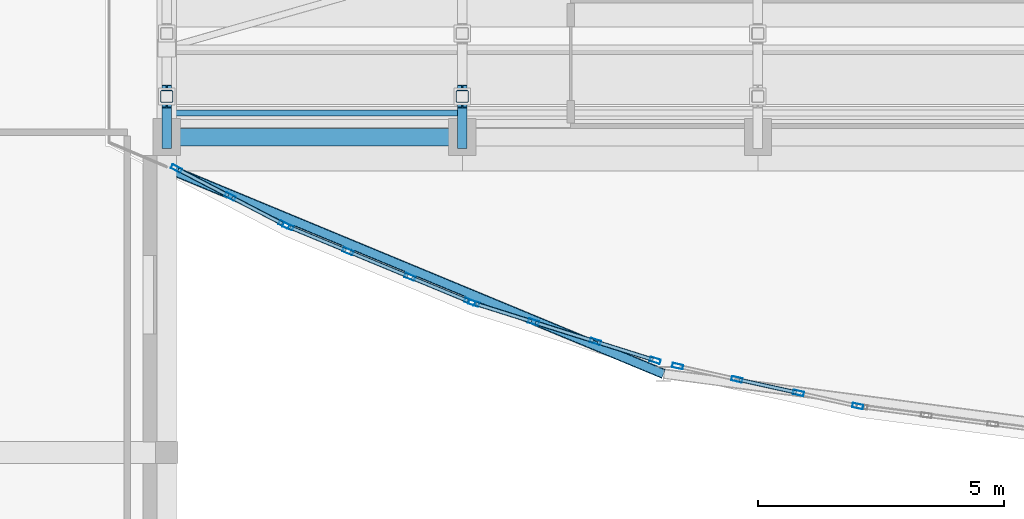
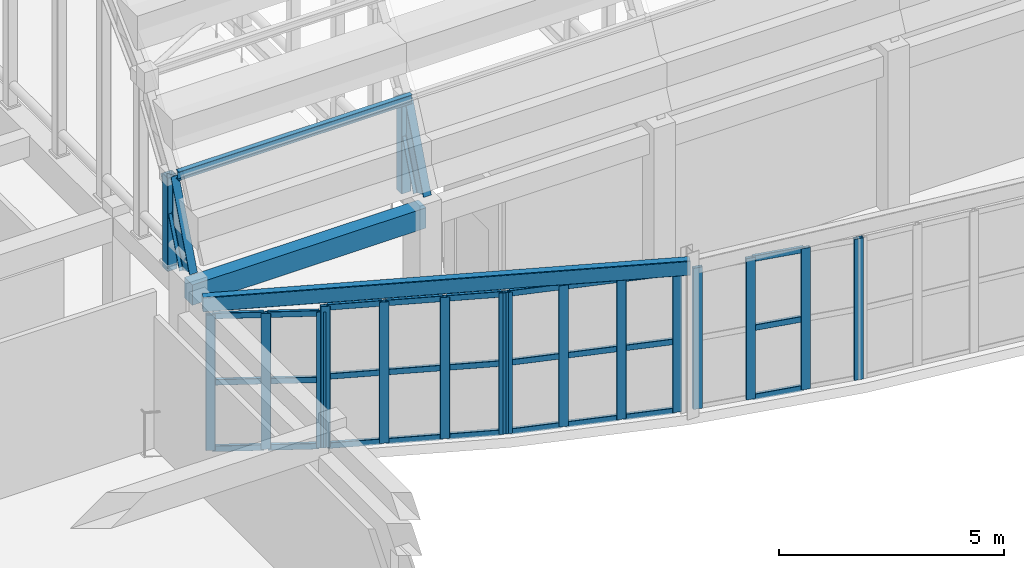
# One storey, part 6 of 91: 45 members, 4 beams, 4 elements without a shape of their own.
"""IFC4 building model written with IfcOpenShell, lengths in metres."""

from ifc_helpers import new_model, si_unit, direction, frame, origin, origin_2d, place, context, subcontext, project, spatial, rectangle, hollow_rectangle, i_section, extrude, material, layer, layer_set, material_profile, profile_set, type_object, element, aggregate, save


model = new_model("IFC4")

# Units and contexts
model_context = context("Model", 3, precision=1e-05, world=origin(), true_north=direction((0.0, 1.0)))
body_context = subcontext(model_context, "Body", "Model", "MODEL_VIEW")
ifc_project = project(units=[si_unit("LENGTHUNIT", "METRE"), si_unit("AREAUNIT", "SQUARE_METRE"), si_unit("VOLUMEUNIT", "CUBIC_METRE"), si_unit("PLANEANGLEUNIT", "RADIAN"), si_unit("MASSUNIT", "GRAM", prefix="KILO")], contexts=[model_context])

# Site, building, storey
site_placement = place(None, origin())
site = spatial("IfcSite", under=ifc_project, at=site_placement, CompositionType="ELEMENT")
building_placement = place(site_placement, origin())
building = spatial("IfcBuilding", under=site, at=building_placement, Name="Tarnavel Promenade Courthouse", CompositionType="ELEMENT")
storey_placement = place(building_placement, frame((0.0, 0.0, 9.89990234375)))
storey = spatial("IfcBuildingStorey", under=building, at=storey_placement, Name="L03", CompositionType="ELEMENT", Elevation=9.89990234375)

# Beams
ifc_material_1 = material(Name="Concrete C40/50", Category="concrete")
ifc_material_profile_1 = material_profile(ifc_material_1, rectangle(XDim=0.35009765625, YDim=0.550048828125, at=origin_2d()), Name="RC 350x550")
ifc_profile_set_1 = profile_set([ifc_material_profile_1], Name="Concrete C40/50")
beam_type_1 = type_object("IfcBeamType", Name="Concrete C40/50 BM-RC-350x550 (RC 350x550)", PredefinedType="BEAM", material=ifc_profile_set_1)
beam_1_placement = place(storey_placement, frame((9.60009765625, 14.800048828125, 3.97021484375), z_axis=(1.0, 0.0, 0.0), x_axis=(0.0, 1.0, 0.0)))
element("IfcBeam", 1, at=beam_1_placement, inside=storey, type_object=beam_type_1, Name="L03 Primary Longitudinal Beam 1533", PredefinedType="BEAM", context=body_context, shape_type="SweptSolid", body=[
    extrude(rectangle(XDim=0.35009765625, YDim=0.550048828125, at=origin_2d()), origin(), (0.0, 0.0, 1.0), 6.0),
])
ifc_material_2 = material(Name="Steel S355J2", Category="steel")
ifc_material_profile_2 = material_profile(ifc_material_2, i_section(OverallWidth=0.199951171875, OverallDepth=0.5, WebThickness=0.01025390625, FlangeThickness=0.01611328125, FilletRadius=0.02099609375, at=origin_2d()), Name="IPE 500")
ifc_profile_set_2 = profile_set([ifc_material_profile_2], Name="Steel S355J2")
beam_type_2 = type_object("IfcBeamType", Name="Steel S355J2 BM-AR-IPE500 (IPE 500)", PredefinedType="T_BEAM", material=ifc_profile_set_2)
for number, where, z_axis, x_axis, name in (
    (2, (9.60009765625, 14.800048828125, 4.5), (0.0, 0.359973594692, 0.93296249181), (-1.0, 0.0, 0.0), "V4 Barrel Vault Arch Rib 01 Chord 01"),
    (3, (15.60009765625, 14.800048828125, 4.5), (0.0, 0.359973594692, 0.93296249181), (-1.0, 0.0, 0.0), "V4 Barrel Vault Arch Rib 02 Chord 01"),
):
    element("IfcBeam", number, at=place(storey_placement, frame(where, z_axis=z_axis, x_axis=x_axis)), inside=storey, type_object=beam_type_2, Name=name, PredefinedType="T_BEAM", context=body_context, shape_type="SweptSolid", body=[
        extrude(i_section(OverallWidth=0.199951171875, OverallDepth=0.5, WebThickness=0.01025390625, FlangeThickness=0.01611328125, FilletRadius=0.02099609375, at=origin_2d()), origin(), (0.0, 0.0, 1.0), 2.302490234375),
    ])
ifc_material_profile_3 = material_profile(ifc_material_2, hollow_rectangle(XDim=0.199951171875, YDim=0.39990234375, WallThickness=0.01416015625, InnerFilletRadius=0.013916015625, OuterFilletRadius=0.028076171875, at=origin_2d()), Name="RHS 400x200x14.2")
ifc_profile_set_3 = profile_set([ifc_material_profile_3], Name="Steel S355J2")
beam_type_3 = type_object("IfcBeamType", Name="Steel S355J2 BM-ST-RHS400 (RHS 400x200x14.2)", PredefinedType="SPANDREL", material=ifc_profile_set_3)
beam_2_placement = place(storey_placement, frame((9.60009765625, 14.173095703125, 4.045166015625), z_axis=(0.923872114905, -0.38270133956, 0.0), x_axis=(0.38270133956, 0.923872114905, 0.0)))
element("IfcBeam", 4, at=beam_2_placement, inside=storey, type_object=beam_type_3, Name="L03 Public Drum Ring Beam 1976", PredefinedType="SPANDREL", context=body_context, shape_type="SweptSolid", body=[
    extrude(hollow_rectangle(XDim=0.199951171875, YDim=0.39990234375, WallThickness=0.01416015625, InnerFilletRadius=0.013916015625, OuterFilletRadius=0.028076171875, at=origin_2d()), origin(), (0.0, 0.0, 1.0), 10.91845703125),
])

# Members
ifc_material_profile_4 = material_profile(ifc_material_2, i_section(OverallWidth=0.1201171875, OverallDepth=0.239990234375, WebThickness=0.006103515625, FlangeThickness=0.009765625, FilletRadius=0.014892578125, at=origin_2d()), Name="IPE 240")
ifc_profile_set_4 = profile_set([ifc_material_profile_4], Name="Steel S355J2")
member_type_1 = type_object("IfcMemberType", Name="Steel S355J2 MEM-PUR-IPE240 (IPE 240)", PredefinedType="PURLIN", material=ifc_profile_set_4)
member_1_placement = place(storey_placement, frame((9.60009765625, 15.291259765625, 6.822998046875), z_axis=(1.0, 0.0, 0.0), x_axis=(0.0, 1.0, 0.0)))
element("IfcMember", 5, at=member_1_placement, inside=storey, type_object=member_type_1, Name="V4 Barrel Vault Purlin 01-01", PredefinedType="PURLIN", context=body_context, shape_type="SweptSolid", body=[
    extrude(i_section(OverallWidth=0.1201171875, OverallDepth=0.239990234375, WebThickness=0.006103515625, FlangeThickness=0.009765625, FilletRadius=0.014892578125, at=origin_2d()), origin(), (0.0, 0.0, 1.0), 6.0),
])
ifc_material_profile_5 = material_profile(ifc_material_2, hollow_rectangle(XDim=0.25, YDim=0.25, WallThickness=0.012451171875, InnerFilletRadius=0.012451171875, OuterFilletRadius=0.02490234375, at=origin_2d()), Name="SHS 250x250x12.5")
ifc_profile_set_5 = profile_set([ifc_material_profile_5], Name="Steel S355J2")
member_type_2 = type_object("IfcMemberType", Name="Steel S355J2 MEM-STR-SHS250 (SHS 250x250x12.5)", PredefinedType="STRUT", material=ifc_profile_set_5)
for number, where, z_axis, x_axis, name in (
    (6, (9.60009765625, 15.62890625, 4.1201171875), (0.0, 0.0, 1.0), (1.0, 0.0, 0.0), "V4 Vault Arch Web Strut 01-01"),
    (7, (15.60009765625, 15.62890625, 4.1201171875), (0.0, 0.0, 1.0), (1.0, 0.0, 0.0), "V4 Vault Arch Web Strut 02-01"),
):
    element("IfcMember", number, at=place(storey_placement, frame(where, z_axis=z_axis, x_axis=x_axis)), inside=storey, type_object=member_type_2, Name=name, PredefinedType="STRUT", context=body_context, shape_type="SweptSolid", body=[
        extrude(hollow_rectangle(XDim=0.25, YDim=0.25, WallThickness=0.012451171875, InnerFilletRadius=0.012451171875, OuterFilletRadius=0.02490234375, at=origin_2d()), origin(), (0.0, 0.0, 1.0), 2.528076171875),
    ])

# Curtain wall, members
ifc_material_3 = material(Name="Thermally Broken Anodised Aluminium Curtain Wall System", Category="aluminium")
ifc_layer = layer(ifc_material_3, 0.219970703125)
ifc_layer_set = layer_set([ifc_layer], Name="Thermally Broken Anodised Aluminium Curtain Wall System")
curtain_wall_type = type_object("IfcCurtainWallType", Name="Thermally Broken Aluminium Triple-Glazed Curtain Wall CW-DRUM", PredefinedType="NOTDEFINED", material=ifc_layer_set)
curtain_wall_1_placement = place(storey_placement, origin())
curtain_wall_1 = element("IfcCurtainWall", 8, at=curtain_wall_1_placement, inside=storey, type_object=curtain_wall_type, Name="L03 Public Hall Drum Curtain Wall 027", PredefinedType="NOTDEFINED")
ifc_material_4 = material(Name="Thermally Broken Anodised Aluminium Frame", Category="aluminium")
ifc_material_profile_6 = material_profile(ifc_material_4, hollow_rectangle(XDim=0.090087890625, YDim=0.219970703125, WallThickness=0.0048828125, InnerFilletRadius=0.0048828125, OuterFilletRadius=0.010009765625, at=origin_2d()), Name="CWM 220x90x5")
ifc_profile_set_6 = profile_set([ifc_material_profile_6], Name="Thermally Broken Anodised Aluminium Frame")
member_type_3 = type_object("IfcMemberType", Name="Thermally Broken Anodised Aluminium CWM-175 (CWM 220x90x5)", PredefinedType="MULLION", material=ifc_profile_set_6)
member_2_placement = place(storey_placement, frame((9.7978515625, 14.162353515625, 0.0), z_axis=(0.0, 0.0, 1.0), x_axis=(0.461749260135, 0.887010496423, 0.0)))
member_2 = element("IfcMember", 9, at=member_2_placement, type_object=member_type_3, Name="CW-01 mullion 1", PredefinedType="MULLION", context=body_context, shape_type="SweptSolid", body=[
    extrude(hollow_rectangle(XDim=0.090087890625, YDim=0.219970703125, WallThickness=0.0048828125, InnerFilletRadius=0.0048828125, OuterFilletRadius=0.010009765625, at=origin_2d()), origin(), (0.0, 0.0, 1.0), 3.68017578125),
])
member_3_placement = place(storey_placement, frame((10.8896484375, 13.593994140625, 0.0), z_axis=(0.0, 0.0, 1.0), x_axis=(0.461749260135, 0.887010496423, 0.0)))
member_3 = element("IfcMember", 10, at=member_3_placement, type_object=member_type_3, Name="CW-01 mullion 2", PredefinedType="MULLION", context=body_context, shape_type="SweptSolid", body=[
    extrude(hollow_rectangle(XDim=0.090087890625, YDim=0.219970703125, WallThickness=0.0048828125, InnerFilletRadius=0.0048828125, OuterFilletRadius=0.010009765625, at=origin_2d()), origin(), (0.0, 0.0, 1.0), 3.68017578125),
])
member_4_placement = place(storey_placement, frame((11.9814453125, 13.025634765625, 0.0), z_axis=(0.0, 0.0, 1.0), x_axis=(0.461749260135, 0.887010496423, 0.0)))
member_4 = element("IfcMember", 11, at=member_4_placement, type_object=member_type_3, Name="CW-01 mullion 3", PredefinedType="MULLION", context=body_context, shape_type="SweptSolid", body=[
    extrude(hollow_rectangle(XDim=0.090087890625, YDim=0.219970703125, WallThickness=0.0048828125, InnerFilletRadius=0.0048828125, OuterFilletRadius=0.010009765625, at=origin_2d()), origin(), (0.0, 0.0, 1.0), 3.68017578125),
])

curtain_wall_2_placement = place(storey_placement, origin())
curtain_wall_2 = element("IfcCurtainWall", 12, at=curtain_wall_2_placement, inside=storey, type_object=curtain_wall_type, Name="L03 Public Hall Drum Curtain Wall 028", PredefinedType="NOTDEFINED")
member_5_placement = place(storey_placement, frame((12.06298828125, 12.987548828125, 0.0), z_axis=(0.0, 0.0, 1.0), x_axis=(0.382684779296, 0.923878974593, 0.0)))
member_5 = element("IfcMember", 13, at=member_5_placement, type_object=member_type_3, Name="CW-01 mullion 1", PredefinedType="MULLION", context=body_context, shape_type="SweptSolid", body=[
    extrude(hollow_rectangle(XDim=0.090087890625, YDim=0.219970703125, WallThickness=0.0048828125, InnerFilletRadius=0.0048828125, OuterFilletRadius=0.010009765625, at=origin_2d()), origin(), (0.0, 0.0, 1.0), 3.830078125),
])
member_6_placement = place(storey_placement, frame((13.27880859375, 12.48388671875, 0.0), z_axis=(0.0, 0.0, 1.0), x_axis=(0.382684779296, 0.923878974593, 0.0)))
member_6 = element("IfcMember", 14, at=member_6_placement, type_object=member_type_3, Name="CW-01 mullion 2", PredefinedType="MULLION", context=body_context, shape_type="SweptSolid", body=[
    extrude(hollow_rectangle(XDim=0.090087890625, YDim=0.219970703125, WallThickness=0.0048828125, InnerFilletRadius=0.0048828125, OuterFilletRadius=0.010009765625, at=origin_2d()), origin(), (0.0, 0.0, 1.0), 3.830078125),
])
member_7_placement = place(storey_placement, frame((14.5361328125, 11.963134765625, 0.0), z_axis=(0.0, 0.0, 1.0), x_axis=(0.382684779296, 0.923878974593, 0.0)))
member_7 = element("IfcMember", 15, at=member_7_placement, type_object=member_type_3, Name="CW-01 mullion 3", PredefinedType="MULLION", context=body_context, shape_type="SweptSolid", body=[
    extrude(hollow_rectangle(XDim=0.090087890625, YDim=0.219970703125, WallThickness=0.0048828125, InnerFilletRadius=0.0048828125, OuterFilletRadius=0.010009765625, at=origin_2d()), origin(), (0.0, 0.0, 1.0), 3.830078125),
])
member_8_placement = place(storey_placement, frame((15.751953125, 11.459716796875, 0.0), z_axis=(0.0, 0.0, 1.0), x_axis=(0.382684779296, 0.923878974593, 0.0)))
member_8 = element("IfcMember", 16, at=member_8_placement, type_object=member_type_3, Name="CW-01 mullion 4", PredefinedType="MULLION", context=body_context, shape_type="SweptSolid", body=[
    extrude(hollow_rectangle(XDim=0.090087890625, YDim=0.219970703125, WallThickness=0.0048828125, InnerFilletRadius=0.0048828125, OuterFilletRadius=0.010009765625, at=origin_2d()), origin(), (0.0, 0.0, 1.0), 3.830078125),
])

curtain_wall_3_placement = place(storey_placement, origin())
curtain_wall_3 = element("IfcCurtainWall", 17, at=curtain_wall_3_placement, inside=storey, type_object=curtain_wall_type, Name="L03 Public Hall Drum Curtain Wall 029", PredefinedType="NOTDEFINED")
member_9_placement = place(storey_placement, frame((15.83642578125, 11.428955078125, 0.0), z_axis=(0.0, 0.0, 1.0), x_axis=(0.300705340521, 0.953717095465, 0.0)))
member_9 = element("IfcMember", 18, at=member_9_placement, type_object=member_type_3, Name="CW-01 mullion 1", PredefinedType="MULLION", context=body_context, shape_type="SweptSolid", body=[
    extrude(hollow_rectangle(XDim=0.090087890625, YDim=0.219970703125, WallThickness=0.0048828125, InnerFilletRadius=0.0048828125, OuterFilletRadius=0.010009765625, at=origin_2d()), origin(), (0.0, 0.0, 1.0), 3.830078125),
])
member_10_placement = place(storey_placement, frame((17.048828125, 11.046630859375, 0.0), z_axis=(0.0, 0.0, 1.0), x_axis=(0.300705340521, 0.953717095465, 0.0)))
member_10 = element("IfcMember", 19, at=member_10_placement, type_object=member_type_3, Name="CW-01 mullion 2", PredefinedType="MULLION", context=body_context, shape_type="SweptSolid", body=[
    extrude(hollow_rectangle(XDim=0.090087890625, YDim=0.219970703125, WallThickness=0.0048828125, InnerFilletRadius=0.0048828125, OuterFilletRadius=0.010009765625, at=origin_2d()), origin(), (0.0, 0.0, 1.0), 3.830078125),
])
member_11_placement = place(storey_placement, frame((18.30419921875, 10.650634765625, 0.0), z_axis=(0.0, 0.0, 1.0), x_axis=(0.300705340521, 0.953717095465, 0.0)))
member_11 = element("IfcMember", 20, at=member_11_placement, type_object=member_type_3, Name="CW-01 mullion 3", PredefinedType="MULLION", context=body_context, shape_type="SweptSolid", body=[
    extrude(hollow_rectangle(XDim=0.090087890625, YDim=0.219970703125, WallThickness=0.0048828125, InnerFilletRadius=0.0048828125, OuterFilletRadius=0.010009765625, at=origin_2d()), origin(), (0.0, 0.0, 1.0), 3.830078125),
])
member_12_placement = place(storey_placement, frame((19.5166015625, 10.2685546875, 0.0), z_axis=(0.0, 0.0, 1.0), x_axis=(0.300705340521, 0.953717095465, 0.0)))
member_12 = element("IfcMember", 21, at=member_12_placement, type_object=member_type_3, Name="CW-01 mullion 4", PredefinedType="MULLION", context=body_context, shape_type="SweptSolid", body=[
    extrude(hollow_rectangle(XDim=0.090087890625, YDim=0.219970703125, WallThickness=0.0048828125, InnerFilletRadius=0.0048828125, OuterFilletRadius=0.010009765625, at=origin_2d()), origin(), (0.0, 0.0, 1.0), 3.830078125),
])

curtain_wall_4_placement = place(storey_placement, origin())
curtain_wall_4 = element("IfcCurtainWall", 22, at=curtain_wall_4_placement, inside=storey, type_object=curtain_wall_type, Name="L03 Public Hall Drum Curtain Wall 030", PredefinedType="NOTDEFINED")
member_13_placement = place(storey_placement, frame((19.972900390625, 10.1513671875, 0.0), z_axis=(0.0, 0.0, 1.0), x_axis=(0.216438170788, 0.976296327058, 0.0)))
member_13 = element("IfcMember", 23, at=member_13_placement, type_object=member_type_3, Name="CW-01 mullion 1", PredefinedType="MULLION", context=body_context, shape_type="SweptSolid", body=[
    extrude(hollow_rectangle(XDim=0.090087890625, YDim=0.219970703125, WallThickness=0.0048828125, InnerFilletRadius=0.0048828125, OuterFilletRadius=0.010009765625, at=origin_2d()), origin(), (0.0, 0.0, 1.0), 3.830078125),
])
member_14_placement = place(storey_placement, frame((21.177001953125, 9.88427734375, 0.0), z_axis=(0.0, 0.0, 1.0), x_axis=(0.216438170788, 0.976296327058, 0.0)))
member_14 = element("IfcMember", 24, at=member_14_placement, type_object=member_type_3, Name="CW-01 mullion 2", PredefinedType="MULLION", context=body_context, shape_type="SweptSolid", body=[
    extrude(hollow_rectangle(XDim=0.090087890625, YDim=0.219970703125, WallThickness=0.0048828125, InnerFilletRadius=0.0048828125, OuterFilletRadius=0.010009765625, at=origin_2d()), origin(), (0.0, 0.0, 1.0), 3.830078125),
])
member_15_placement = place(storey_placement, frame((22.42529296875, 9.607666015625, 0.0), z_axis=(0.0, 0.0, 1.0), x_axis=(0.216438170788, 0.976296327058, 0.0)))
member_15 = element("IfcMember", 25, at=member_15_placement, type_object=member_type_3, Name="CW-01 mullion 3", PredefinedType="MULLION", context=body_context, shape_type="SweptSolid", body=[
    extrude(hollow_rectangle(XDim=0.090087890625, YDim=0.219970703125, WallThickness=0.0048828125, InnerFilletRadius=0.0048828125, OuterFilletRadius=0.010009765625, at=origin_2d()), origin(), (0.0, 0.0, 1.0), 3.830078125),
])
member_16_placement = place(storey_placement, frame((23.62939453125, 9.3408203125, 0.0), z_axis=(0.0, 0.0, 1.0), x_axis=(0.216438170788, 0.976296327058, 0.0)))
member_16 = element("IfcMember", 26, at=member_16_placement, type_object=member_type_3, Name="CW-01 mullion 4", PredefinedType="MULLION", context=body_context, shape_type="SweptSolid", body=[
    extrude(hollow_rectangle(XDim=0.090087890625, YDim=0.219970703125, WallThickness=0.0048828125, InnerFilletRadius=0.0048828125, OuterFilletRadius=0.010009765625, at=origin_2d()), origin(), (0.0, 0.0, 1.0), 3.830078125),
])

# Member
ifc_material_profile_7 = material_profile(ifc_material_4, hollow_rectangle(XDim=0.080078125, YDim=0.159912109375, WallThickness=0.0048828125, InnerFilletRadius=0.0048828125, OuterFilletRadius=0.010009765625, at=origin_2d()), Name="CWT 160x80x5")
ifc_profile_set_7 = profile_set([ifc_material_profile_7], Name="Thermally Broken Anodised Aluminium Frame")
member_type_4 = type_object("IfcMemberType", Name="Thermally Broken Anodised Aluminium CWT-145 (CWT 160x80x5)", PredefinedType="USERDEFINED", material=ifc_profile_set_7)
member_17_placement = place(storey_placement, frame((9.837890625, 14.1416015625, 0.0400390625), z_axis=(0.886988958088, -0.461790632462, 0.0), x_axis=(0.461790632462, 0.886988958088, 0.0)))
member_17 = element("IfcMember", 27, at=member_17_placement, type_object=member_type_4, Name="CW-01 transom 1.1", ObjectType="TRANSOM", PredefinedType="USERDEFINED", context=body_context, shape_type="SweptSolid", body=[
    extrude(hollow_rectangle(XDim=0.080078125, YDim=0.159912109375, WallThickness=0.0048828125, InnerFilletRadius=0.0048828125, OuterFilletRadius=0.010009765625, at=origin_2d()), origin(), (0.0, 0.0, 1.0), 1.140869140625),
])

member_18_placement = place(storey_placement, frame((9.837890625, 14.1416015625, 1.840087890625), z_axis=(0.886988958088, -0.461790632462, 0.0), x_axis=(0.461790632462, 0.886988958088, 0.0)))
member_18 = element("IfcMember", 28, at=member_18_placement, type_object=member_type_4, Name="CW-01 transom 1.2", ObjectType="TRANSOM", PredefinedType="USERDEFINED", context=body_context, shape_type="SweptSolid", body=[
    extrude(hollow_rectangle(XDim=0.080078125, YDim=0.159912109375, WallThickness=0.0048828125, InnerFilletRadius=0.0048828125, OuterFilletRadius=0.010009765625, at=origin_2d()), origin(), (0.0, 0.0, 1.0), 1.140869140625),
])

member_19_placement = place(storey_placement, frame((9.837890625, 14.1416015625, 3.64013671875), z_axis=(0.886988958088, -0.461790632462, 0.0), x_axis=(0.461790632462, 0.886988958088, 0.0)))
member_19 = element("IfcMember", 29, at=member_19_placement, type_object=member_type_4, Name="CW-01 transom 1.3", ObjectType="TRANSOM", PredefinedType="USERDEFINED", context=body_context, shape_type="SweptSolid", body=[
    extrude(hollow_rectangle(XDim=0.080078125, YDim=0.159912109375, WallThickness=0.0048828125, InnerFilletRadius=0.0048828125, OuterFilletRadius=0.010009765625, at=origin_2d()), origin(), (0.0, 0.0, 1.0), 1.140869140625),
])

member_20_placement = place(storey_placement, frame((10.9296875, 13.5732421875, 0.0400390625), z_axis=(0.886988958088, -0.461790632462, 0.0), x_axis=(0.461790632462, 0.886988958088, 0.0)))
member_20 = element("IfcMember", 30, at=member_20_placement, type_object=member_type_4, Name="CW-01 transom 2.1", ObjectType="TRANSOM", PredefinedType="USERDEFINED", context=body_context, shape_type="SweptSolid", body=[
    extrude(hollow_rectangle(XDim=0.080078125, YDim=0.159912109375, WallThickness=0.0048828125, InnerFilletRadius=0.0048828125, OuterFilletRadius=0.010009765625, at=origin_2d()), origin(), (0.0, 0.0, 1.0), 1.140869140625),
])

member_21_placement = place(storey_placement, frame((10.9296875, 13.5732421875, 1.840087890625), z_axis=(0.886988958088, -0.461790632462, 0.0), x_axis=(0.461790632462, 0.886988958088, 0.0)))
member_21 = element("IfcMember", 31, at=member_21_placement, type_object=member_type_4, Name="CW-01 transom 2.2", ObjectType="TRANSOM", PredefinedType="USERDEFINED", context=body_context, shape_type="SweptSolid", body=[
    extrude(hollow_rectangle(XDim=0.080078125, YDim=0.159912109375, WallThickness=0.0048828125, InnerFilletRadius=0.0048828125, OuterFilletRadius=0.010009765625, at=origin_2d()), origin(), (0.0, 0.0, 1.0), 1.140869140625),
])

member_22_placement = place(storey_placement, frame((10.9296875, 13.5732421875, 3.64013671875), z_axis=(0.886988958088, -0.461790632462, 0.0), x_axis=(0.461790632462, 0.886988958088, 0.0)))
member_22 = element("IfcMember", 32, at=member_22_placement, type_object=member_type_4, Name="CW-01 transom 2.3", ObjectType="TRANSOM", PredefinedType="USERDEFINED", context=body_context, shape_type="SweptSolid", body=[
    extrude(hollow_rectangle(XDim=0.080078125, YDim=0.159912109375, WallThickness=0.0048828125, InnerFilletRadius=0.0048828125, OuterFilletRadius=0.010009765625, at=origin_2d()), origin(), (0.0, 0.0, 1.0), 1.140869140625),
])

aggregate(curtain_wall_1, [member_2, member_3, member_4, member_17, member_18, member_19, member_20, member_21, member_22])

member_23_placement = place(storey_placement, frame((12.1044921875, 12.970458984375, 0.0400390625), z_axis=(0.923876078078, -0.382691771997, 0.0), x_axis=(0.382691771997, 0.923876078078, 0.0)))
member_23 = element("IfcMember", 33, at=member_23_placement, type_object=member_type_4, Name="CW-01 transom 1.1", ObjectType="TRANSOM", PredefinedType="USERDEFINED", context=body_context, shape_type="SweptSolid", body=[
    extrude(hollow_rectangle(XDim=0.080078125, YDim=0.159912109375, WallThickness=0.0048828125, InnerFilletRadius=0.0048828125, OuterFilletRadius=0.010009765625, at=origin_2d()), origin(), (0.0, 0.0, 1.0), 1.22607421875),
])

member_24_placement = place(storey_placement, frame((12.1044921875, 12.970458984375, 1.9150390625), z_axis=(0.923876078078, -0.382691771997, 0.0), x_axis=(0.382691771997, 0.923876078078, 0.0)))
member_24 = element("IfcMember", 34, at=member_24_placement, type_object=member_type_4, Name="CW-01 transom 1.2", ObjectType="TRANSOM", PredefinedType="USERDEFINED", context=body_context, shape_type="SweptSolid", body=[
    extrude(hollow_rectangle(XDim=0.080078125, YDim=0.159912109375, WallThickness=0.0048828125, InnerFilletRadius=0.0048828125, OuterFilletRadius=0.010009765625, at=origin_2d()), origin(), (0.0, 0.0, 1.0), 1.22607421875),
])

member_25_placement = place(storey_placement, frame((12.1044921875, 12.970458984375, 3.7900390625), z_axis=(0.923876078078, -0.382691771997, 0.0), x_axis=(0.382691771997, 0.923876078078, 0.0)))
member_25 = element("IfcMember", 35, at=member_25_placement, type_object=member_type_4, Name="CW-01 transom 1.3", ObjectType="TRANSOM", PredefinedType="USERDEFINED", context=body_context, shape_type="SweptSolid", body=[
    extrude(hollow_rectangle(XDim=0.080078125, YDim=0.159912109375, WallThickness=0.0048828125, InnerFilletRadius=0.0048828125, OuterFilletRadius=0.010009765625, at=origin_2d()), origin(), (0.0, 0.0, 1.0), 1.22607421875),
])

member_26_placement = place(storey_placement, frame((13.3203125, 12.466796875, 0.0400390625), z_axis=(0.923904469667, -0.382623223197, 0.0), x_axis=(0.382623223197, 0.923904469667, 0.0)))
member_26 = element("IfcMember", 36, at=member_26_placement, type_object=member_type_4, Name="CW-01 transom 2.1", ObjectType="TRANSOM", PredefinedType="USERDEFINED", context=body_context, shape_type="SweptSolid", body=[
    extrude(hollow_rectangle(XDim=0.080078125, YDim=0.159912109375, WallThickness=0.0048828125, InnerFilletRadius=0.0048828125, OuterFilletRadius=0.010009765625, at=origin_2d()), origin(), (0.0, 0.0, 1.0), 1.27099609375),
])

member_27_placement = place(storey_placement, frame((13.3203125, 12.466796875, 1.9150390625), z_axis=(0.923904469667, -0.382623223197, 0.0), x_axis=(0.382623223197, 0.923904469667, 0.0)))
member_27 = element("IfcMember", 37, at=member_27_placement, type_object=member_type_4, Name="CW-01 transom 2.2", ObjectType="TRANSOM", PredefinedType="USERDEFINED", context=body_context, shape_type="SweptSolid", body=[
    extrude(hollow_rectangle(XDim=0.080078125, YDim=0.159912109375, WallThickness=0.0048828125, InnerFilletRadius=0.0048828125, OuterFilletRadius=0.010009765625, at=origin_2d()), origin(), (0.0, 0.0, 1.0), 1.27099609375),
])

member_28_placement = place(storey_placement, frame((13.3203125, 12.466796875, 3.7900390625), z_axis=(0.923904469667, -0.382623223197, 0.0), x_axis=(0.382623223197, 0.923904469667, 0.0)))
member_28 = element("IfcMember", 38, at=member_28_placement, type_object=member_type_4, Name="CW-01 transom 2.3", ObjectType="TRANSOM", PredefinedType="USERDEFINED", context=body_context, shape_type="SweptSolid", body=[
    extrude(hollow_rectangle(XDim=0.080078125, YDim=0.159912109375, WallThickness=0.0048828125, InnerFilletRadius=0.0048828125, OuterFilletRadius=0.010009765625, at=origin_2d()), origin(), (0.0, 0.0, 1.0), 1.27099609375),
])

member_29_placement = place(storey_placement, frame((14.57763671875, 11.946044921875, 0.0400390625), z_axis=(0.923846909596, -0.382762181557, 0.0), x_axis=(0.382762181557, 0.923846909596, 0.0)))
member_29 = element("IfcMember", 39, at=member_29_placement, type_object=member_type_4, Name="CW-01 transom 3.1", ObjectType="TRANSOM", PredefinedType="USERDEFINED", context=body_context, shape_type="SweptSolid", body=[
    extrude(hollow_rectangle(XDim=0.080078125, YDim=0.159912109375, WallThickness=0.0048828125, InnerFilletRadius=0.0048828125, OuterFilletRadius=0.010009765625, at=origin_2d()), origin(), (0.0, 0.0, 1.0), 1.225830078125),
])

member_30_placement = place(storey_placement, frame((14.57763671875, 11.946044921875, 1.9150390625), z_axis=(0.923846909596, -0.382762181557, 0.0), x_axis=(0.382762181557, 0.923846909596, 0.0)))
member_30 = element("IfcMember", 40, at=member_30_placement, type_object=member_type_4, Name="CW-01 transom 3.2", ObjectType="TRANSOM", PredefinedType="USERDEFINED", context=body_context, shape_type="SweptSolid", body=[
    extrude(hollow_rectangle(XDim=0.080078125, YDim=0.159912109375, WallThickness=0.0048828125, InnerFilletRadius=0.0048828125, OuterFilletRadius=0.010009765625, at=origin_2d()), origin(), (0.0, 0.0, 1.0), 1.225830078125),
])

member_31_placement = place(storey_placement, frame((14.57763671875, 11.946044921875, 3.7900390625), z_axis=(0.923846909596, -0.382762181557, 0.0), x_axis=(0.382762181557, 0.923846909596, 0.0)))
member_31 = element("IfcMember", 41, at=member_31_placement, type_object=member_type_4, Name="CW-01 transom 3.3", ObjectType="TRANSOM", PredefinedType="USERDEFINED", context=body_context, shape_type="SweptSolid", body=[
    extrude(hollow_rectangle(XDim=0.080078125, YDim=0.159912109375, WallThickness=0.0048828125, InnerFilletRadius=0.0048828125, OuterFilletRadius=0.010009765625, at=origin_2d()), origin(), (0.0, 0.0, 1.0), 1.225830078125),
])

aggregate(curtain_wall_2, [member_5, member_6, member_7, member_8, member_23, member_24, member_25, member_26, member_27, member_28, member_29, member_30, member_31])

member_32_placement = place(storey_placement, frame((15.87939453125, 11.415283203125, 0.0400390625), z_axis=(0.953704419141, -0.300745541797, 0.0), x_axis=(0.300745541797, 0.953704419141, 0.0)))
member_32 = element("IfcMember", 42, at=member_32_placement, type_object=member_type_4, Name="CW-01 transom 1.1", ObjectType="TRANSOM", PredefinedType="USERDEFINED", context=body_context, shape_type="SweptSolid", body=[
    extrude(hollow_rectangle(XDim=0.080078125, YDim=0.159912109375, WallThickness=0.0048828125, InnerFilletRadius=0.0048828125, OuterFilletRadius=0.010009765625, at=origin_2d()), origin(), (0.0, 0.0, 1.0), 1.18115234375),
])

member_33_placement = place(storey_placement, frame((15.87939453125, 11.415283203125, 1.9150390625), z_axis=(0.953704419141, -0.300745541797, 0.0), x_axis=(0.300745541797, 0.953704419141, 0.0)))
member_33 = element("IfcMember", 43, at=member_33_placement, type_object=member_type_4, Name="CW-01 transom 1.2", ObjectType="TRANSOM", PredefinedType="USERDEFINED", context=body_context, shape_type="SweptSolid", body=[
    extrude(hollow_rectangle(XDim=0.080078125, YDim=0.159912109375, WallThickness=0.0048828125, InnerFilletRadius=0.0048828125, OuterFilletRadius=0.010009765625, at=origin_2d()), origin(), (0.0, 0.0, 1.0), 1.18115234375),
])

member_34_placement = place(storey_placement, frame((15.87939453125, 11.415283203125, 3.7900390625), z_axis=(0.953704419141, -0.300745541797, 0.0), x_axis=(0.300745541797, 0.953704419141, 0.0)))
member_34 = element("IfcMember", 44, at=member_34_placement, type_object=member_type_4, Name="CW-01 transom 1.3", ObjectType="TRANSOM", PredefinedType="USERDEFINED", context=body_context, shape_type="SweptSolid", body=[
    extrude(hollow_rectangle(XDim=0.080078125, YDim=0.159912109375, WallThickness=0.0048828125, InnerFilletRadius=0.0048828125, OuterFilletRadius=0.010009765625, at=origin_2d()), origin(), (0.0, 0.0, 1.0), 1.18115234375),
])

member_35_placement = place(storey_placement, frame((17.091796875, 11.032958984375, 0.0400390625), z_axis=(0.953733006446, -0.300654872596, 0.0), x_axis=(0.300654872596, 0.953733006446, 0.0)))
member_35 = element("IfcMember", 45, at=member_35_placement, type_object=member_type_4, Name="CW-01 transom 2.1", ObjectType="TRANSOM", PredefinedType="USERDEFINED", context=body_context, shape_type="SweptSolid", body=[
    extrude(hollow_rectangle(XDim=0.080078125, YDim=0.159912109375, WallThickness=0.0048828125, InnerFilletRadius=0.0048828125, OuterFilletRadius=0.010009765625, at=origin_2d()), origin(), (0.0, 0.0, 1.0), 1.22607421875),
])

member_36_placement = place(storey_placement, frame((17.091796875, 11.032958984375, 1.9150390625), z_axis=(0.953733006446, -0.300654872596, 0.0), x_axis=(0.300654872596, 0.953733006446, 0.0)))
member_36 = element("IfcMember", 46, at=member_36_placement, type_object=member_type_4, Name="CW-01 transom 2.2", ObjectType="TRANSOM", PredefinedType="USERDEFINED", context=body_context, shape_type="SweptSolid", body=[
    extrude(hollow_rectangle(XDim=0.080078125, YDim=0.159912109375, WallThickness=0.0048828125, InnerFilletRadius=0.0048828125, OuterFilletRadius=0.010009765625, at=origin_2d()), origin(), (0.0, 0.0, 1.0), 1.22607421875),
])

member_37_placement = place(storey_placement, frame((17.091796875, 11.032958984375, 3.7900390625), z_axis=(0.953733006446, -0.300654872596, 0.0), x_axis=(0.300654872596, 0.953733006446, 0.0)))
member_37 = element("IfcMember", 47, at=member_37_placement, type_object=member_type_4, Name="CW-01 transom 2.3", ObjectType="TRANSOM", PredefinedType="USERDEFINED", context=body_context, shape_type="SweptSolid", body=[
    extrude(hollow_rectangle(XDim=0.080078125, YDim=0.159912109375, WallThickness=0.0048828125, InnerFilletRadius=0.0048828125, OuterFilletRadius=0.010009765625, at=origin_2d()), origin(), (0.0, 0.0, 1.0), 1.22607421875),
])

member_38_placement = place(storey_placement, frame((18.34716796875, 10.63720703125, 0.0400390625), z_axis=(0.953723109008, -0.300686267304, 0.0), x_axis=(0.300686267304, 0.953723109008, 0.0)))
member_38 = element("IfcMember", 48, at=member_38_placement, type_object=member_type_4, Name="CW-01 transom 3.1", ObjectType="TRANSOM", PredefinedType="USERDEFINED", context=body_context, shape_type="SweptSolid", body=[
    extrude(hollow_rectangle(XDim=0.080078125, YDim=0.159912109375, WallThickness=0.0048828125, InnerFilletRadius=0.0048828125, OuterFilletRadius=0.010009765625, at=origin_2d()), origin(), (0.0, 0.0, 1.0), 1.181396484375),
])

member_39_placement = place(storey_placement, frame((18.34716796875, 10.63720703125, 1.9150390625), z_axis=(0.953723109008, -0.300686267304, 0.0), x_axis=(0.300686267304, 0.953723109008, 0.0)))
member_39 = element("IfcMember", 49, at=member_39_placement, type_object=member_type_4, Name="CW-01 transom 3.2", ObjectType="TRANSOM", PredefinedType="USERDEFINED", context=body_context, shape_type="SweptSolid", body=[
    extrude(hollow_rectangle(XDim=0.080078125, YDim=0.159912109375, WallThickness=0.0048828125, InnerFilletRadius=0.0048828125, OuterFilletRadius=0.010009765625, at=origin_2d()), origin(), (0.0, 0.0, 1.0), 1.181396484375),
])

member_40_placement = place(storey_placement, frame((18.34716796875, 10.63720703125, 3.7900390625), z_axis=(0.953723109008, -0.300686267304, 0.0), x_axis=(0.300686267304, 0.953723109008, 0.0)))
member_40 = element("IfcMember", 50, at=member_40_placement, type_object=member_type_4, Name="CW-01 transom 3.3", ObjectType="TRANSOM", PredefinedType="USERDEFINED", context=body_context, shape_type="SweptSolid", body=[
    extrude(hollow_rectangle(XDim=0.080078125, YDim=0.159912109375, WallThickness=0.0048828125, InnerFilletRadius=0.0048828125, OuterFilletRadius=0.010009765625, at=origin_2d()), origin(), (0.0, 0.0, 1.0), 1.181396484375),
])

aggregate(curtain_wall_3, [member_9, member_10, member_11, member_12, member_32, member_33, member_34, member_35, member_36, member_37, member_38, member_39, member_40])

member_41_placement = place(storey_placement, frame((21.220947265625, 9.874755859375, 0.0400390625), z_axis=(0.976283623824, -0.216495463815, 0.0), x_axis=(0.216495463815, 0.976283623824, 0.0)))
member_41 = element("IfcMember", 51, at=member_41_placement, type_object=member_type_4, Name="CW-01 transom 2.1", ObjectType="TRANSOM", PredefinedType="USERDEFINED", context=body_context, shape_type="SweptSolid", body=[
    extrude(hollow_rectangle(XDim=0.080078125, YDim=0.159912109375, WallThickness=0.0048828125, InnerFilletRadius=0.0048828125, OuterFilletRadius=0.010009765625, at=origin_2d()), origin(), (0.0, 0.0, 1.0), 1.1884765625),
])

member_42_placement = place(storey_placement, frame((21.220947265625, 9.874755859375, 1.9150390625), z_axis=(0.976283623824, -0.216495463815, 0.0), x_axis=(0.216495463815, 0.976283623824, 0.0)))
member_42 = element("IfcMember", 52, at=member_42_placement, type_object=member_type_4, Name="CW-01 transom 2.2", ObjectType="TRANSOM", PredefinedType="USERDEFINED", context=body_context, shape_type="SweptSolid", body=[
    extrude(hollow_rectangle(XDim=0.080078125, YDim=0.159912109375, WallThickness=0.0048828125, InnerFilletRadius=0.0048828125, OuterFilletRadius=0.010009765625, at=origin_2d()), origin(), (0.0, 0.0, 1.0), 1.1884765625),
])

member_43_placement = place(storey_placement, frame((21.220947265625, 9.874755859375, 3.7900390625), z_axis=(0.976283623824, -0.216495463815, 0.0), x_axis=(0.216495463815, 0.976283623824, 0.0)))
member_43 = element("IfcMember", 53, at=member_43_placement, type_object=member_type_4, Name="CW-01 transom 2.3", ObjectType="TRANSOM", PredefinedType="USERDEFINED", context=body_context, shape_type="SweptSolid", body=[
    extrude(hollow_rectangle(XDim=0.080078125, YDim=0.159912109375, WallThickness=0.0048828125, InnerFilletRadius=0.0048828125, OuterFilletRadius=0.010009765625, at=origin_2d()), origin(), (0.0, 0.0, 1.0), 1.1884765625),
])

aggregate(curtain_wall_4, [member_13, member_14, member_15, member_16, member_41, member_42, member_43])

save(model, "model.ifc")
